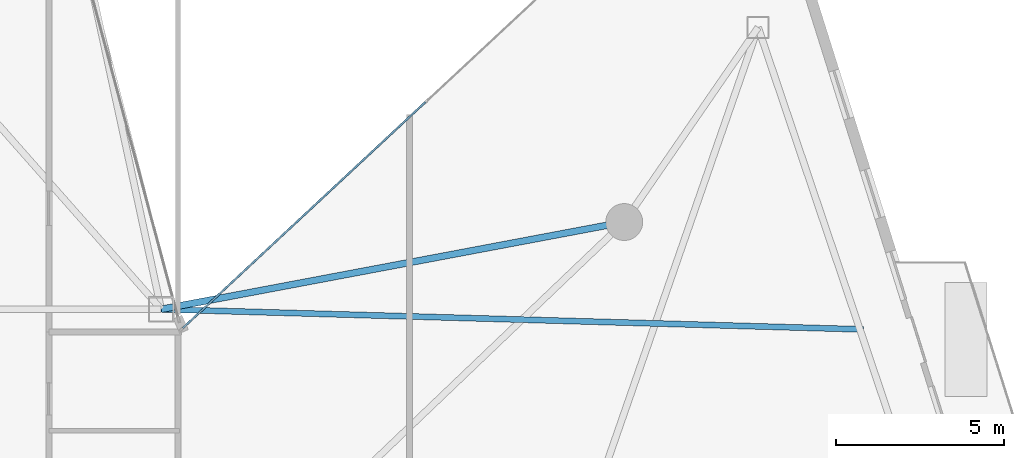
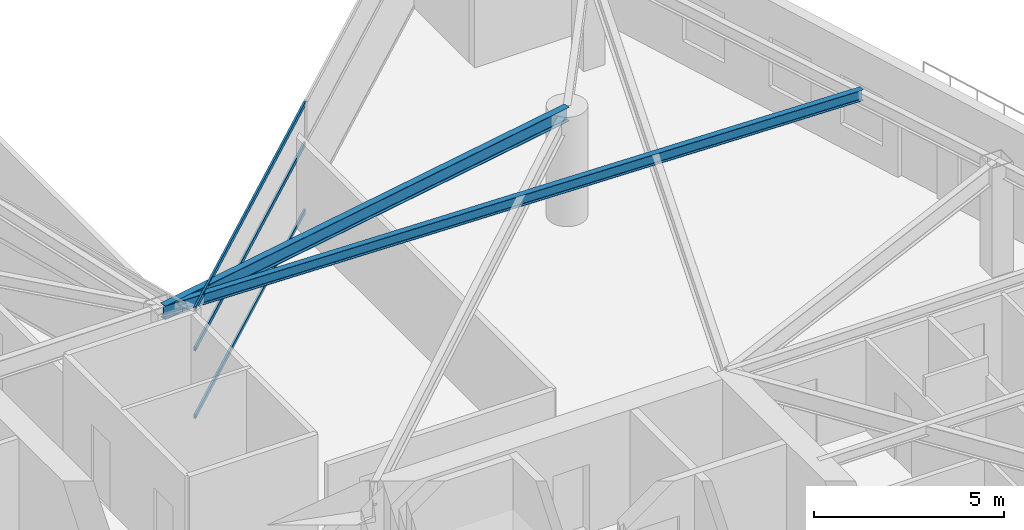
# One storey, part 11 of 27: 3 members, 2 beams, 1 element without a shape of its own.
"""IFC4 building model written with IfcOpenShell, lengths in metres."""

from ifc_helpers import new_model, si_unit, direction, frame, origin, origin_2d, place, context, subcontext, project, spatial, hollow_rectangle, i_section, extrude, material, layer, layer_set, material_profile, profile_set, type_object, element, aggregate, save


model = new_model("IFC4")

# Units and contexts
model_context = context("Model", 3, precision=1e-05, world=origin(), true_north=direction((0.0, 1.0)))
body_context = subcontext(model_context, "Body", "Model", "MODEL_VIEW")
ifc_project = project(units=[si_unit("LENGTHUNIT", "METRE"), si_unit("AREAUNIT", "SQUARE_METRE"), si_unit("VOLUMEUNIT", "CUBIC_METRE"), si_unit("PLANEANGLEUNIT", "RADIAN"), si_unit("MASSUNIT", "GRAM", prefix="KILO")], contexts=[model_context])

# Site, building, storey
site_placement = place(None, origin())
site = spatial("IfcSite", under=ifc_project, at=site_placement, CompositionType="ELEMENT")
building_placement = place(site_placement, origin())
building = spatial("IfcBuilding", under=site, at=building_placement, Name="Calvorn Quay Hotel", CompositionType="ELEMENT")
storey_placement = place(building_placement, frame((0.0, 0.0, 230.699951171875)))
storey = spatial("IfcBuildingStorey", under=building, at=storey_placement, Name="L57", CompositionType="ELEMENT", Elevation=230.699951171875)

# Beams
ifc_material_1 = material(Name="Steel Q355B", Category="steel")
ifc_material_profile_1 = material_profile(ifc_material_1, i_section(OverallWidth=0.175048828125, OverallDepth=0.35009765625, WebThickness=0.007080078125, FlangeThickness=0.010986328125, FilletRadius=0.013916015625, at=origin_2d()), Name="HN350x175x7x11")
ifc_profile_set_1 = profile_set([ifc_material_profile_1], Name="Steel Q355B")
beam_type_1 = type_object("IfcBeamType", Name="BM-JOIST-SEC", PredefinedType="JOIST", material=ifc_profile_set_1)
beam_1_placement = place(storey_placement, frame((21.0, 25.0, 3.344970703125), z_axis=(0.999589103827, -0.028663975842, 0.0), x_axis=(0.028663975842, 0.999589103827, 0.0)))
element("IfcBeam", 1, at=beam_1_placement, inside=storey, type_object=beam_type_1, Name="Beam BJ-L57-E3", PredefinedType="JOIST", context=body_context, shape_type="SweptSolid", body=[
    extrude(i_section(OverallWidth=0.175048828125, OverallDepth=0.35009765625, WebThickness=0.007080078125, FlangeThickness=0.010986328125, FilletRadius=0.013916015625, at=origin_2d()), origin(), (0.0, 0.0, 1.0), 20.935546875),
])
ifc_material_2 = material(Name="Steel Q355B", Category="steel")
ifc_material_profile_2 = material_profile(ifc_material_2, i_section(OverallWidth=0.199951171875, OverallDepth=0.449951171875, WebThickness=0.009033203125, FlangeThickness=0.013916015625, FilletRadius=0.01611328125, at=origin_2d()), Name="HN450x200x9x14")
ifc_profile_set_2 = profile_set([ifc_material_profile_2], Name="Steel Q355B")
beam_type_2 = type_object("IfcBeamType", Name="BM-SPANDREL-Z3", PredefinedType="SPANDREL", material=ifc_profile_set_2)
beam_2_placement = place(storey_placement, frame((34.800048828125, 27.60009765625, 3.295166015625), z_axis=(-0.982709432406, -0.185154452988, 0.0), x_axis=(0.185154452988, -0.982709432406, 0.0)))
element("IfcBeam", 2, at=beam_2_placement, inside=storey, type_object=beam_type_2, Name="Beam BSP-L57-E4", PredefinedType="SPANDREL", context=body_context, shape_type="SweptSolid", body=[
    extrude(i_section(OverallWidth=0.199951171875, OverallDepth=0.449951171875, WebThickness=0.009033203125, FlangeThickness=0.013916015625, FilletRadius=0.01611328125, at=origin_2d()), origin(), (0.0, 0.0, 1.0), 14.04296875),
])

# Curtain wall, members
ifc_material_3 = material(Name="Champagne Bronze Anodised Aluminium and Low-E Glass", Category="aluminium")
ifc_layer = layer(ifc_material_3, 0.219970703125)
ifc_layer_set = layer_set([ifc_layer], Name="CW-SYS-Z3")
curtain_wall_type = type_object("IfcCurtainWallType", Name="CW-SYS-Z3", PredefinedType="NOTDEFINED", material=ifc_layer_set)
curtain_wall_placement = place(storey_placement, origin())
curtain_wall = element("IfcCurtainWall", 3, at=curtain_wall_placement, inside=storey, type_object=curtain_wall_type, Name="Inner Court Curtain Wall L57-NE1", PredefinedType="NOTDEFINED")
ifc_material_4 = material(Name="Champagne Bronze Anodised Aluminium 6063-T6", Category="aluminium")
ifc_material_profile_3 = material_profile(ifc_material_4, hollow_rectangle(XDim=0.05810546875, YDim=0.139892578125, WallThickness=0.003173828125, at=origin_2d()), Name="ALU-T140x58x3.2")
ifc_profile_set_3 = profile_set([ifc_material_profile_3], Name="Champagne Bronze Anodised Aluminium 6063-T6")
member_type = type_object("IfcMemberType", Name="CW-SYS-Z3-TRN", PredefinedType="USERDEFINED", material=ifc_profile_set_3)
member_1_placement = place(storey_placement, frame((28.8779296875, 31.179443359375, 0.030029296875), z_axis=(-0.731727475975, -0.681597315798, 0.0), x_axis=(0.681597315798, -0.731727475975, 0.0)))
member_1 = element("IfcMember", 4, at=member_1_placement, type_object=member_type, Name="CW-L57-NE1 transom 2.1", ObjectType="TRANSOM", PredefinedType="USERDEFINED", context=body_context, shape_type="SweptSolid", body=[
    extrude(hollow_rectangle(XDim=0.05810546875, YDim=0.139892578125, WallThickness=0.003173828125, at=origin_2d()), origin(), (0.0, 0.0, 1.0), 9.886474609375),
])
member_2_placement = place(storey_placement, frame((28.8779296875, 31.179443359375, 2.199951171875), z_axis=(-0.731727475975, -0.681597315798, 0.0), x_axis=(0.681597315798, -0.731727475975, 0.0)))
member_2 = element("IfcMember", 5, at=member_2_placement, type_object=member_type, Name="CW-L57-NE1 transom 2.2", ObjectType="TRANSOM", PredefinedType="USERDEFINED", context=body_context, shape_type="SweptSolid", body=[
    extrude(hollow_rectangle(XDim=0.05810546875, YDim=0.139892578125, WallThickness=0.003173828125, at=origin_2d()), origin(), (0.0, 0.0, 1.0), 9.886474609375),
])
member_3_placement = place(storey_placement, frame((28.8779296875, 31.179443359375, 3.489990234375), z_axis=(-0.731727475975, -0.681597315798, 0.0), x_axis=(0.681597315798, -0.731727475975, 0.0)))
member_3 = element("IfcMember", 6, at=member_3_placement, type_object=member_type, Name="CW-L57-NE1 transom 2.3", ObjectType="TRANSOM", PredefinedType="USERDEFINED", context=body_context, shape_type="SweptSolid", body=[
    extrude(hollow_rectangle(XDim=0.05810546875, YDim=0.139892578125, WallThickness=0.003173828125, at=origin_2d()), origin(), (0.0, 0.0, 1.0), 9.886474609375),
])
aggregate(curtain_wall, [member_1, member_2, member_3])

save(model, "model.ifc")
